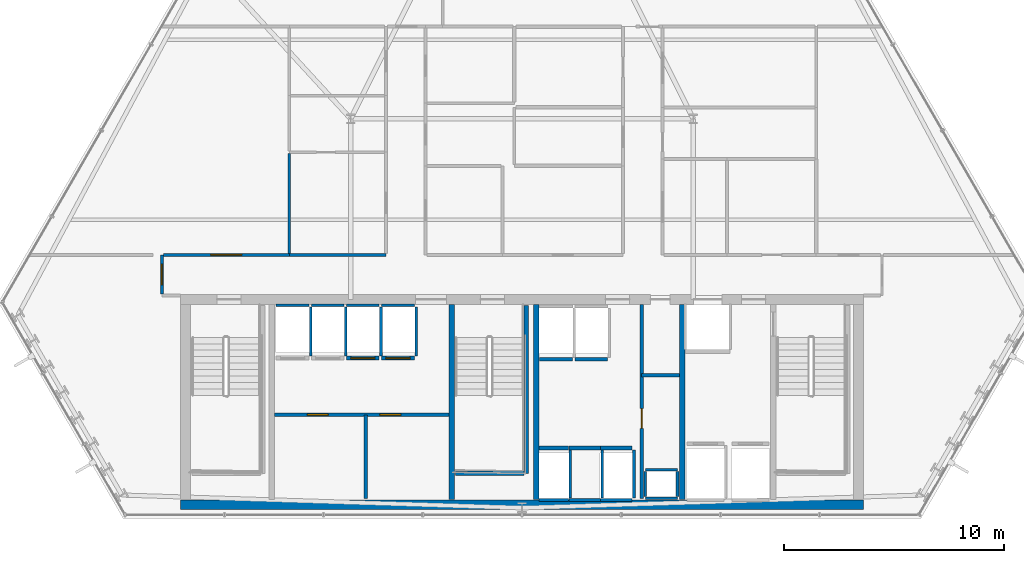
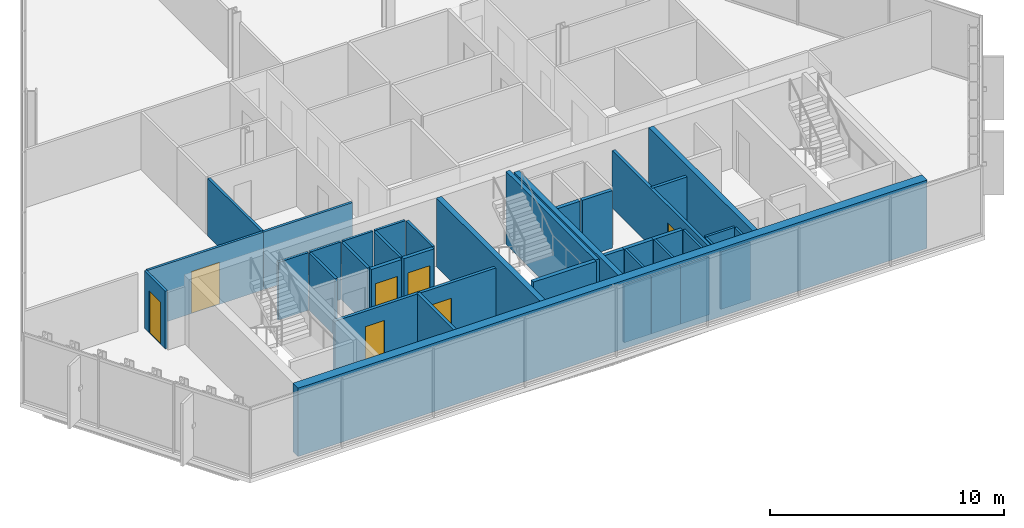
# One storey, part 26 of 33: 39 walls, 7 doors, 7 openings.
"""IFC4 building model written with IfcOpenShell, lengths in metres."""

from ifc_helpers import new_model, si_unit, direction, frame, frame_2d, origin, place, context, subcontext, project, spatial, rectangle, extrude, material, layer, layer_set, type_object, element, fill, save


model = new_model("IFC4")

# Units and contexts
model_context = context("Model", 3, precision=1e-05, world=origin(), true_north=direction((0.0, 1.0)))
body_context = subcontext(model_context, "Body", "Model", "MODEL_VIEW")
ifc_project = project(units=[si_unit("LENGTHUNIT", "METRE"), si_unit("AREAUNIT", "SQUARE_METRE"), si_unit("VOLUMEUNIT", "CUBIC_METRE"), si_unit("PLANEANGLEUNIT", "RADIAN"), si_unit("MASSUNIT", "GRAM", prefix="KILO")], contexts=[model_context])

# Site, building, storey
site_placement = place(None, origin())
site = spatial("IfcSite", under=ifc_project, at=site_placement, CompositionType="ELEMENT")
building_placement = place(site_placement, origin())
building = spatial("IfcBuilding", under=site, at=building_placement, Name="Ndaravel Arena Tower", CompositionType="ELEMENT")
storey_placement = place(building_placement, frame((0.0, 0.0, 153.60009765625)))
storey = spatial("IfcBuildingStorey", under=building, at=storey_placement, Name="L36", CompositionType="ELEMENT", Elevation=153.60009765625)

# Wall, opening, door
ifc_material_1 = material(Name="Gypsum", Category="gypsum")
ifc_layer_1 = layer(ifc_material_1, 0.14990234375)
ifc_layer_set_1 = layer_set([ifc_layer_1], Name="Gypsum")
wall_type_1 = type_object("IfcWallType", Name="WALL-COMP-150", PredefinedType="PARTITIONING", material=ifc_layer_set_1)
wall_1_placement = place(storey_placement, frame((47.449951171875, 5.89990234375, 0.0), z_axis=(0.0, 0.0, 1.0), x_axis=(0.0, 1.0, 0.0)))
wall_1 = element("IfcWall", 1, at=wall_1_placement, inside=storey, type_object=wall_type_1, Name="L36 Core Riser Bay Partition", PredefinedType="PARTITIONING", context=body_context, shape_type="SweptSolid", body=[
    extrude(rectangle(XDim=8.85009765625, YDim=0.14990234375, at=frame_2d((4.425048828125, 0.0))), origin(), (0.0, 0.0, 1.0), 3.010498046875),
])
opening_1_placement = place(wall_1_placement, frame((3.199951171875, 0.0, 0.0)))
opening_1 = element("IfcOpeningElement", 2, at=opening_1_placement, cuts=wall_1, Name="Opening RD-01", PredefinedType="OPENING", context=body_context, shape_type="SweptSolid", body=[
    extrude(rectangle(XDim=0.89990234375, YDim=2.10009765625, at=frame_2d((0.449951171875, 1.050048828125))), frame((0.0, 0.074951171875, 0.0), z_axis=(0.0, -1.0, 0.0), x_axis=(1.0, 0.0, 0.0)), (0.0, 0.0, 1.0), 0.14990234375),
])
ifc_material_2 = material(Name="Steel S355", Category="steel")
door_type_1 = type_object("IfcDoorType", Name="DT-08-RISER-900", OperationType="SINGLE_SWING_LEFT", PredefinedType="DOOR", material=ifc_material_2)
door_1_placement = place(opening_1_placement, origin())
door_1 = element("IfcDoor", 3, at=door_1_placement, inside=storey, type_object=door_type_1, Name="L36 Sub-Metering Closet Door", OperationType="SINGLE_SWING_LEFT", OverallHeight=2.10009765625, OverallWidth=0.89990234375, PredefinedType="DOOR", context=body_context, shape_type="SweptSolid", body=[
    extrude(rectangle(XDim=0.89990234375, YDim=2.10009765625, at=frame_2d((0.449951171875, 1.050048828125))), frame((0.0, 0.02490234375, 0.0), z_axis=(0.0, -1.0, 0.0), x_axis=(1.0, 0.0, 0.0)), (0.0, 0.0, 1.0), 0.050048828125),
])
fill(opening_1, door_1)

# Wall
wall_2_placement = place(storey_placement, frame((47.449951171875, 11.52001953125, 0.0), z_axis=(0.0, 0.0, 1.0), x_axis=(1.0, 0.0, 0.0)))
element("IfcWall", 4, at=wall_2_placement, inside=storey, type_object=wall_type_1, Name="L36 Core Riser Divider 1", PredefinedType="PARTITIONING", context=body_context, shape_type="SweptSolid", body=[
    extrude(rectangle(XDim=1.72998046875, YDim=0.14990234375, at=frame_2d((0.864990234375, 0.0))), origin(), (0.0, 0.0, 1.0), 3.010498046875),
])

# Wall, openings, doors
wall_3_placement = place(storey_placement, frame((30.719970703125, 9.719970703125, 0.0), z_axis=(0.0, 0.0, 1.0), x_axis=(1.0, 0.0, 0.0)))
wall_3 = element("IfcWall", 5, at=wall_3_placement, inside=storey, type_object=wall_type_1, Name="L36 Reclaimed Shaft Partition", PredefinedType="PARTITIONING", context=body_context, shape_type="SweptSolid", body=[
    extrude(rectangle(XDim=7.9599609375, YDim=0.14990234375, at=frame_2d((3.97998046875, 0.0))), origin(), (0.0, 0.0, 1.0), 3.010498046875),
])
opening_2_placement = place(wall_3_placement, frame((1.5, 0.0, 0.0)))
opening_2 = element("IfcOpeningElement", 6, at=opening_2_placement, cuts=wall_3, Name="Opening FD-03", PredefinedType="OPENING", context=body_context, shape_type="SweptSolid", body=[
    extrude(rectangle(XDim=0.949951171875, YDim=2.199951171875, at=frame_2d((0.47509765625, 1.10009765625))), frame((0.0, 0.074951171875, 0.0), z_axis=(0.0, -1.0, 0.0), x_axis=(1.0, 0.0, 0.0)), (0.0, 0.0, 1.0), 0.14990234375),
])
opening_3_placement = place(wall_3_placement, frame((4.81005859375, 0.0, 0.0)))
opening_3 = element("IfcOpeningElement", 7, at=opening_3_placement, cuts=wall_3, Name="Opening FD-03", PredefinedType="OPENING", context=body_context, shape_type="SweptSolid", body=[
    extrude(rectangle(XDim=0.949951171875, YDim=2.199951171875, at=frame_2d((0.47509765625, 1.10009765625))), frame((0.0, 0.074951171875, 0.0), z_axis=(0.0, -1.0, 0.0), x_axis=(1.0, 0.0, 0.0)), (0.0, 0.0, 1.0), 0.14990234375),
])
ifc_material_3 = material(Name="Steel S355", Category="steel")
door_type_2 = type_object("IfcDoorType", Name="DT-11-CORE-950", OperationType="SINGLE_SWING_LEFT", PredefinedType="DOOR", material=ifc_material_3)
door_2_placement = place(opening_2_placement, origin())
door_2 = element("IfcDoor", 8, at=door_2_placement, inside=storey, type_object=door_type_2, Name="L36 ICT Server Room Door", OperationType="SINGLE_SWING_LEFT", OverallHeight=2.199951171875, OverallWidth=0.949951171875, PredefinedType="DOOR", context=body_context, shape_type="SweptSolid", body=[
    extrude(rectangle(XDim=0.949951171875, YDim=2.199951171875, at=frame_2d((0.47509765625, 1.10009765625))), frame((0.0, 0.02490234375, 0.0), z_axis=(0.0, -1.0, 0.0), x_axis=(1.0, 0.0, 0.0)), (0.0, 0.0, 1.0), 0.050048828125),
])
fill(opening_2, door_2)
door_3_placement = place(opening_3_placement, origin())
door_3 = element("IfcDoor", 9, at=door_3_placement, inside=storey, type_object=door_type_2, Name="L36 Core Archive Room Door", OperationType="SINGLE_SWING_RIGHT", OverallHeight=2.199951171875, OverallWidth=0.949951171875, PredefinedType="DOOR", context=body_context, shape_type="SweptSolid", body=[
    extrude(rectangle(XDim=0.949951171875, YDim=2.199951171875, at=frame_2d((0.47509765625, 1.10009765625))), frame((0.0, 0.02490234375, 0.0), z_axis=(0.0, -1.0, 0.0), x_axis=(1.0, 0.0, 0.0)), (0.0, 0.0, 1.0), 0.050048828125),
])
fill(opening_3, door_3)

# Walls
wall_4_placement = place(storey_placement, frame((34.8798828125, 5.89990234375, 0.0), z_axis=(0.0, 0.0, 1.0), x_axis=(0.0, 1.0, 0.0)))
element("IfcWall", 10, at=wall_4_placement, inside=storey, type_object=wall_type_1, Name="L36 Reclaimed Bay Divider", PredefinedType="PARTITIONING", context=body_context, shape_type="SweptSolid", body=[
    extrude(rectangle(XDim=3.820068359375, YDim=0.14990234375, at=frame_2d((1.91015625, 0.0))), origin(), (0.0, 0.0, 1.0), 3.010498046875),
])
ifc_material_4 = material(Name="Concrete C60/75", Category="concrete")
ifc_layer_2 = layer(ifc_material_4, 0.25)
ifc_layer_set_2 = layer_set([ifc_layer_2], Name="Concrete C60/75")
wall_type_2 = type_object("IfcWallType", Name="WALL-CORE-250", PredefinedType="SOLIDWALL", material=ifc_layer_set_2)
for number, where, z_axis, x_axis, name in (
    (11, (38.800048828125, 5.85009765625, 0.0), (0.0, 0.0, 1.0), (0.0, 1.0, 0.0), "L36 Core Web Shear Wall 2"),
    (12, (42.64990234375, 5.85009765625, 0.0), (0.0, 0.0, 1.0), (0.0, 1.0, 0.0), "L36 Core Web Shear Wall 3"),
    (13, (49.300048828125, 5.85009765625, 0.0), (0.0, 0.0, 1.0), (0.0, 1.0, 0.0), "L36 Core Web Shear Wall 4"),
):
    element("IfcWall", number, at=place(storey_placement, frame(where, z_axis=z_axis, x_axis=x_axis)), inside=storey, type_object=wall_type_2, Name=name, PredefinedType="SOLIDWALL", context=body_context, shape_type="SweptSolid", body=[
        extrude(rectangle(XDim=8.89990234375, YDim=0.25, at=frame_2d((4.449951171875, 0.0))), origin(), (0.0, 0.0, 1.0), 3.579833984375),
    ])
ifc_material_5 = material(Name="Concrete C60/75", Category="concrete")
ifc_layer_3 = layer(ifc_material_5, 0.449951171875)
ifc_layer_set_3 = layer_set([ifc_layer_3], Name="Concrete C60/75")
wall_type_3 = type_object("IfcWallType", Name="WALL-CORE-450", PredefinedType="SOLIDWALL", material=ifc_layer_set_3)
wall_5_placement = place(storey_placement, frame((26.449951171875, 5.625, 0.0), z_axis=(0.0, 0.0, 1.0), x_axis=(1.0, 0.0, 0.0)))
element("IfcWall", 14, at=wall_5_placement, inside=storey, type_object=wall_type_3, Name="L36 Core South Shear Wall", PredefinedType="SOLIDWALL", context=body_context, shape_type="SweptSolid", body=[
    extrude(rectangle(XDim=31.10009765625, YDim=0.449951171875, at=frame_2d((15.550048828125, 0.0))), origin(), (0.0, 0.0, 1.0), 3.579833984375),
])

# Wall, opening, door
ifc_material_6 = material(Name="Gypsum", Category="gypsum")
ifc_layer_4 = layer(ifc_material_6, 0.125)
ifc_layer_set_4 = layer_set([ifc_layer_4], Name="Gypsum")
wall_type_4 = type_object("IfcWallType", Name="WALL-PART-125", PredefinedType="PARTITIONING", material=ifc_layer_set_4)
wall_6_placement = place(storey_placement, frame((25.60009765625, 15.215087890625, 0.0), z_axis=(0.0, 0.0, 1.0), x_axis=(0.0, 1.0, 0.0)))
wall_6 = element("IfcWall", 15, at=wall_6_placement, inside=storey, type_object=wall_type_4, Name="L36 Interior Partition 004", PredefinedType="PARTITIONING", context=body_context, shape_type="SweptSolid", body=[
    extrude(rectangle(XDim=1.784912109375, YDim=0.125, at=frame_2d((0.892578125, 0.0))), origin(), (0.0, 0.0, 1.0), 3.010498046875),
])
opening_4_placement = place(wall_6_placement, frame((0.41748046875, 0.0, 0.0)))
opening_4 = element("IfcOpeningElement", 16, at=opening_4_placement, cuts=wall_6, Name="Opening ID-01", PredefinedType="OPENING", context=body_context, shape_type="SweptSolid", body=[
    extrude(rectangle(XDim=0.949951171875, YDim=2.199951171875, at=frame_2d((0.47509765625, 1.10009765625))), frame((0.0, 0.0625, 0.0), z_axis=(0.0, -1.0, 0.0), x_axis=(1.0, 0.0, 0.0)), (0.0, 0.0, 1.0), 0.125),
])
ifc_material_7 = material(Name="Timber", Category="wood")
door_type_3 = type_object("IfcDoorType", Name="DT-03-OFFICE-950", OperationType="SINGLE_SWING_LEFT", PredefinedType="DOOR", material=ifc_material_7)
door_4_placement = place(opening_4_placement, origin())
door_4 = element("IfcDoor", 17, at=door_4_placement, inside=storey, type_object=door_type_3, Name="L36 Executive Boardroom Door", OperationType="SINGLE_SWING_LEFT", OverallHeight=2.199951171875, OverallWidth=0.949951171875, PredefinedType="DOOR", context=body_context, shape_type="SweptSolid", body=[
    extrude(rectangle(XDim=0.949951171875, YDim=2.199951171875, at=frame_2d((0.47509765625, 1.10009765625))), frame((0.0, 0.02490234375, 0.0), z_axis=(0.0, -1.0, 0.0), x_axis=(1.0, 0.0, 0.0)), (0.0, 0.0, 1.0), 0.050048828125),
])
fill(opening_4, door_4)

wall_7_placement = place(storey_placement, frame((25.6650390625, 17.0, 0.0), z_axis=(0.0, 0.0, 1.0), x_axis=(1.0, 0.0, 0.0)))
wall_7 = element("IfcWall", 18, at=wall_7_placement, inside=storey, type_object=wall_type_4, Name="L36 Interior Partition 005", PredefinedType="PARTITIONING", context=body_context, shape_type="SweptSolid", body=[
    extrude(rectangle(XDim=5.73486328125, YDim=0.125, at=frame_2d((2.867431640625, 0.0))), origin(), (0.0, 0.0, 1.0), 3.010498046875),
])
opening_5_placement = place(wall_7_placement, frame((2.16748046875, 0.0, 0.0)))
opening_5 = element("IfcOpeningElement", 19, at=opening_5_placement, cuts=wall_7, Name="Opening ID-02", PredefinedType="OPENING", context=body_context, shape_type="SweptSolid", body=[
    extrude(rectangle(XDim=1.39990234375, YDim=2.199951171875, at=frame_2d((0.699951171875, 1.10009765625))), frame((0.0, 0.0625, 0.0), z_axis=(0.0, -1.0, 0.0), x_axis=(1.0, 0.0, 0.0)), (0.0, 0.0, 1.0), 0.125),
])
ifc_material_8 = material(Name="Timber", Category="wood")
door_type_4 = type_object("IfcDoorType", Name="DT-04-SUITE-1400", OperationType="DOUBLE_DOOR_SINGLE_SWING", PredefinedType="DOOR", material=ifc_material_8)
door_5_placement = place(opening_5_placement, origin())
door_5 = element("IfcDoor", 20, at=door_5_placement, inside=storey, type_object=door_type_4, Name="L36 Tenant Reception Suite 3 Door", OperationType="SINGLE_SWING_LEFT", OverallHeight=2.199951171875, OverallWidth=1.39990234375, PredefinedType="DOOR", context=body_context, shape_type="SweptSolid", body=[
    extrude(rectangle(XDim=1.39990234375, YDim=2.199951171875, at=frame_2d((0.699951171875, 1.10009765625))), frame((0.0, 0.02490234375, 0.0), z_axis=(0.0, -1.0, 0.0), x_axis=(1.0, 0.0, 0.0)), (0.0, 0.0, 1.0), 0.050048828125),
])
fill(opening_5, door_5)

# Walls
wall_8_placement = place(storey_placement, frame((31.39990234375, 17.0, 0.0), z_axis=(0.0, 0.0, 1.0), x_axis=(1.0, 0.0, 0.0)))
element("IfcWall", 21, at=wall_8_placement, inside=storey, type_object=wall_type_4, Name="L36 Interior Partition 006", PredefinedType="PARTITIONING", context=body_context, shape_type="SweptSolid", body=[
    extrude(rectangle(XDim=4.400146484375, YDim=0.125, at=frame_2d((2.2001953125, 0.0))), origin(), (0.0, 0.0, 1.0), 3.010498046875),
])
wall_9_placement = place(storey_placement, frame((31.39990234375, 17.06494140625, 0.0), z_axis=(0.0, 0.0, 1.0), x_axis=(0.0, 1.0, 0.0)))
element("IfcWall", 22, at=wall_9_placement, inside=storey, type_object=wall_type_4, Name="L36 Interior Partition 036", PredefinedType="PARTITIONING", context=body_context, shape_type="SweptSolid", body=[
    extrude(rectangle(XDim=4.550048828125, YDim=0.125, at=frame_2d((2.27490234375, 0.0))), origin(), (0.0, 0.0, 1.0), 3.010498046875),
])
ifc_material_9 = material(Name="Concrete C40/50", Category="concrete")
ifc_layer_5 = layer(ifc_material_9, 0.1201171875)
ifc_layer_set_5 = layer_set([ifc_layer_5], Name="Concrete C40/50")
wall_type_5 = type_object("IfcWallType", Name="WALL-SHAFT-120", PredefinedType="SOLIDWALL", material=ifc_layer_set_5)
for number, where, z_axis, x_axis, name in (
    (23, (47.6201171875, 5.919921875, 0.0), (0.0, 0.0, 1.0), (1.0, 0.0, 0.0), "L36 MEP Riser Shaft S Wall"),
    (24, (47.6201171875, 7.219970703125, 0.0), (0.0, 0.0, 1.0), (1.0, 0.0, 0.0), "L36 MEP Riser Shaft N Wall"),
):
    element("IfcWall", number, at=place(storey_placement, frame(where, z_axis=z_axis, x_axis=x_axis)), inside=storey, type_object=wall_type_5, Name=name, PredefinedType="SOLIDWALL", context=body_context, shape_type="SweptSolid", body=[
        extrude(rectangle(XDim=1.4599609375, YDim=0.1201171875, at=frame_2d((0.72998046875, 0.0))), origin(), (0.0, 0.0, 1.0), 3.010498046875),
    ])
for number, where, z_axis, x_axis, name in (
    (25, (47.6201171875, 6.0, 0.0), (0.0, 0.0, 1.0), (0.0, 1.0, 0.0), "L36 MEP Riser Shaft W Wall"),
    (26, (49.080078125, 6.0, 0.0), (0.0, 0.0, 1.0), (0.0, 1.0, 0.0), "L36 MEP Riser Shaft E Wall"),
):
    element("IfcWall", number, at=place(storey_placement, frame(where, z_axis=z_axis, x_axis=x_axis)), inside=storey, type_object=wall_type_5, Name=name, PredefinedType="SOLIDWALL", context=body_context, shape_type="SweptSolid", body=[
        extrude(rectangle(XDim=1.139892578125, YDim=0.1201171875, at=frame_2d((0.56982421875, 0.0))), origin(), (0.0, 0.0, 1.0), 3.010498046875),
    ])
wall_10_placement = place(storey_placement, frame((30.804931640625, 14.7099609375, 0.0), z_axis=(0.0, 0.0, 1.0), x_axis=(1.0, 0.0, 0.0)))
element("IfcWall", 27, at=wall_10_placement, inside=storey, type_object=wall_type_5, Name="L36 PL-M1 Shaft Rear Wall", PredefinedType="SOLIDWALL", context=body_context, shape_type="SweptSolid", body=[
    extrude(rectangle(XDim=1.489990234375, YDim=0.1201171875, at=frame_2d((0.7451171875, 0.0))), origin(), (0.0, 0.0, 1.0), 3.010498046875),
])
wall_11_placement = place(storey_placement, frame((32.375, 12.389892578125, 0.0), z_axis=(0.0, 0.0, 1.0), x_axis=(0.0, 1.0, 0.0)))
element("IfcWall", 28, at=wall_11_placement, inside=storey, type_object=wall_type_5, Name="L36 PL-M1 Shaft Side R Wall", PredefinedType="SOLIDWALL", context=body_context, shape_type="SweptSolid", body=[
    extrude(rectangle(XDim=2.230224609375, YDim=0.1201171875, at=frame_2d((1.115234375, 0.0))), origin(), (0.0, 0.0, 1.0), 3.010498046875),
])
wall_12_placement = place(storey_placement, frame((32.405029296875, 14.7099609375, 0.0), z_axis=(0.0, 0.0, 1.0), x_axis=(1.0, 0.0, 0.0)))
element("IfcWall", 29, at=wall_12_placement, inside=storey, type_object=wall_type_5, Name="L36 PL-M2 Shaft Rear Wall", PredefinedType="SOLIDWALL", context=body_context, shape_type="SweptSolid", body=[
    extrude(rectangle(XDim=1.489990234375, YDim=0.1201171875, at=frame_2d((0.7451171875, 0.0))), origin(), (0.0, 0.0, 1.0), 3.010498046875),
])
wall_13_placement = place(storey_placement, frame((33.97509765625, 12.389892578125, 0.0), z_axis=(0.0, 0.0, 1.0), x_axis=(0.0, 1.0, 0.0)))
element("IfcWall", 30, at=wall_13_placement, inside=storey, type_object=wall_type_5, Name="L36 PL-M2 Shaft Side R Wall", PredefinedType="SOLIDWALL", context=body_context, shape_type="SweptSolid", body=[
    extrude(rectangle(XDim=2.230224609375, YDim=0.1201171875, at=frame_2d((1.115234375, 0.0))), origin(), (0.0, 0.0, 1.0), 3.010498046875),
])
wall_14_placement = place(storey_placement, frame((34.0048828125, 14.7099609375, 0.0), z_axis=(0.0, 0.0, 1.0), x_axis=(1.0, 0.0, 0.0)))
element("IfcWall", 31, at=wall_14_placement, inside=storey, type_object=wall_type_5, Name="L36 PL-M3 Shaft Rear Wall", PredefinedType="SOLIDWALL", context=body_context, shape_type="SweptSolid", body=[
    extrude(rectangle(XDim=1.490234375, YDim=0.1201171875, at=frame_2d((0.7451171875, 0.0))), origin(), (0.0, 0.0, 1.0), 3.010498046875),
])
wall_15_placement = place(storey_placement, frame((35.574951171875, 12.389892578125, 0.0), z_axis=(0.0, 0.0, 1.0), x_axis=(0.0, 1.0, 0.0)))
element("IfcWall", 32, at=wall_15_placement, inside=storey, type_object=wall_type_5, Name="L36 PL-M3 Shaft Side R Wall", PredefinedType="SOLIDWALL", context=body_context, shape_type="SweptSolid", body=[
    extrude(rectangle(XDim=2.230224609375, YDim=0.1201171875, at=frame_2d((1.115234375, 0.0))), origin(), (0.0, 0.0, 1.0), 3.010498046875),
])
wall_16_placement = place(storey_placement, frame((35.60498046875, 14.7099609375, 0.0), z_axis=(0.0, 0.0, 1.0), x_axis=(1.0, 0.0, 0.0)))
element("IfcWall", 33, at=wall_16_placement, inside=storey, type_object=wall_type_5, Name="L36 PL-M4 Shaft Rear Wall", PredefinedType="SOLIDWALL", context=body_context, shape_type="SweptSolid", body=[
    extrude(rectangle(XDim=1.489990234375, YDim=0.1201171875, at=frame_2d((0.7451171875, 0.0))), origin(), (0.0, 0.0, 1.0), 3.010498046875),
])
wall_17_placement = place(storey_placement, frame((37.175048828125, 12.389892578125, 0.0), z_axis=(0.0, 0.0, 1.0), x_axis=(0.0, 1.0, 0.0)))
element("IfcWall", 34, at=wall_17_placement, inside=storey, type_object=wall_type_5, Name="L36 PL-M4 Shaft Side R Wall", PredefinedType="SOLIDWALL", context=body_context, shape_type="SweptSolid", body=[
    extrude(rectangle(XDim=2.230224609375, YDim=0.1201171875, at=frame_2d((1.115234375, 0.0))), origin(), (0.0, 0.0, 1.0), 3.010498046875),
])
wall_18_placement = place(storey_placement, frame((42.780029296875, 5.840087890625, 0.0), z_axis=(0.0, 0.0, 1.0), x_axis=(1.0, 0.0, 0.0)))
element("IfcWall", 35, at=wall_18_placement, inside=storey, type_object=wall_type_5, Name="L36 PL-H1 Shaft Rear Wall", PredefinedType="SOLIDWALL", context=body_context, shape_type="SweptSolid", body=[
    extrude(rectangle(XDim=1.340087890625, YDim=0.1201171875, at=frame_2d((0.669921875, 0.0))), origin(), (0.0, 0.0, 1.0), 3.010498046875),
])
wall_19_placement = place(storey_placement, frame((44.199951171875, 5.929931640625, 0.0), z_axis=(0.0, 0.0, 1.0), x_axis=(0.0, 1.0, 0.0)))
element("IfcWall", 36, at=wall_19_placement, inside=storey, type_object=wall_type_5, Name="L36 PL-H1 Shaft Side R Wall", PredefinedType="SOLIDWALL", context=body_context, shape_type="SweptSolid", body=[
    extrude(rectangle(XDim=2.18017578125, YDim=0.1201171875, at=frame_2d((1.090087890625, 0.0))), origin(), (0.0, 0.0, 1.0), 3.010498046875),
])
wall_20_placement = place(storey_placement, frame((44.1298828125, 5.840087890625, 0.0), z_axis=(0.0, 0.0, 1.0), x_axis=(1.0, 0.0, 0.0)))
element("IfcWall", 37, at=wall_20_placement, inside=storey, type_object=wall_type_5, Name="L36 PL-H2 Shaft Rear Wall", PredefinedType="SOLIDWALL", context=body_context, shape_type="SweptSolid", body=[
    extrude(rectangle(XDim=1.440185546875, YDim=0.1201171875, at=frame_2d((0.72021484375, 0.0))), origin(), (0.0, 0.0, 1.0), 3.010498046875),
])
wall_21_placement = place(storey_placement, frame((45.64990234375, 5.929931640625, 0.0), z_axis=(0.0, 0.0, 1.0), x_axis=(0.0, 1.0, 0.0)))
element("IfcWall", 38, at=wall_21_placement, inside=storey, type_object=wall_type_5, Name="L36 PL-H2 Shaft Side R Wall", PredefinedType="SOLIDWALL", context=body_context, shape_type="SweptSolid", body=[
    extrude(rectangle(XDim=2.18017578125, YDim=0.1201171875, at=frame_2d((1.090087890625, 0.0))), origin(), (0.0, 0.0, 1.0), 3.010498046875),
])
wall_22_placement = place(storey_placement, frame((45.580078125, 5.840087890625, 0.0), z_axis=(0.0, 0.0, 1.0), x_axis=(1.0, 0.0, 0.0)))
element("IfcWall", 39, at=wall_22_placement, inside=storey, type_object=wall_type_5, Name="L36 PL-H3 Shaft Rear Wall", PredefinedType="SOLIDWALL", context=body_context, shape_type="SweptSolid", body=[
    extrude(rectangle(XDim=1.43994140625, YDim=0.1201171875, at=frame_2d((0.719970703125, 0.0))), origin(), (0.0, 0.0, 1.0), 3.010498046875),
])
wall_23_placement = place(storey_placement, frame((47.10009765625, 5.929931640625, 0.0), z_axis=(0.0, 0.0, 1.0), x_axis=(0.0, 1.0, 0.0)))
element("IfcWall", 40, at=wall_23_placement, inside=storey, type_object=wall_type_5, Name="L36 PL-H3 Shaft Side R Wall", PredefinedType="SOLIDWALL", context=body_context, shape_type="SweptSolid", body=[
    extrude(rectangle(XDim=2.18017578125, YDim=0.1201171875, at=frame_2d((1.090087890625, 0.0))), origin(), (0.0, 0.0, 1.0), 3.010498046875),
])
ifc_material_10 = material(Name="Concrete C40/50", Category="concrete")
ifc_layer_6 = layer(ifc_material_10, 0.199951171875)
ifc_layer_set_6 = layer_set([ifc_layer_6], Name="Concrete C40/50")
wall_type_6 = type_object("IfcWallType", Name="WALL-SHAFT-200", PredefinedType="SOLIDWALL", material=ifc_layer_set_6)
wall_24_placement = place(storey_placement, frame((42.18994140625, 14.699951171875, 0.0), z_axis=(0.0, 0.0, 1.0), x_axis=(0.0, -1.0, 0.0)))
element("IfcWall", 41, at=wall_24_placement, inside=storey, type_object=wall_type_6, Name="L36 ST-2 Structural Shaft Wall Right", PredefinedType="SOLIDWALL", context=body_context, shape_type="SweptSolid", body=[
    extrude(rectangle(XDim=7.64990234375, YDim=0.199951171875, at=frame_2d((3.824951171875, 0.0))), origin(), (0.0, 0.0, 1.0), 3.7998046875),
])
wall_25_placement = place(storey_placement, frame((38.969970703125, 7.050048828125, 0.0), z_axis=(0.0, 0.0, 1.0), x_axis=(1.0, 0.0, 0.0)))
element("IfcWall", 42, at=wall_25_placement, inside=storey, type_object=wall_type_6, Name="L36 ST-2 Structural Shaft Wall Far", PredefinedType="SOLIDWALL", context=body_context, shape_type="SweptSolid", body=[
    extrude(rectangle(XDim=3.114990234375, YDim=0.199951171875, at=frame_2d((1.5576171875, 0.0))), origin(), (0.0, 0.0, 1.0), 3.7998046875),
])

# Wall, opening, door
wall_26_placement = place(storey_placement, frame((34.0048828125, 12.300048828125, 0.0), z_axis=(0.0, 0.0, 1.0), x_axis=(1.0, 0.0, 0.0)))
wall_26 = element("IfcWall", 43, at=wall_26_placement, inside=storey, type_object=wall_type_6, Name="L36 PL-M3 Shaft Landing Wall", PredefinedType="SOLIDWALL", context=body_context, shape_type="SweptSolid", body=[
    extrude(rectangle(XDim=1.490234375, YDim=0.179931640625, at=frame_2d((0.7451171875, 0.0))), origin(), (0.0, 0.0, 1.0), 3.010498046875),
])
opening_6_placement = place(wall_26_placement, frame((0.195068359375, 0.0, 0.0)))
opening_6 = element("IfcOpeningElement", 44, at=opening_6_placement, cuts=wall_26, Name="Opening LD-01", PredefinedType="OPENING", context=body_context, shape_type="SweptSolid", body=[
    extrude(rectangle(XDim=1.10009765625, YDim=2.199951171875, at=frame_2d((0.550048828125, 1.10009765625))), frame((0.0, 0.08984375, 0.0), z_axis=(0.0, -1.0, 0.0), x_axis=(1.0, 0.0, 0.0)), (0.0, 0.0, 1.0), 0.179931640625),
])
ifc_material_11 = material(Name="Steel S355", Category="steel")
door_type_5 = type_object("IfcDoorType", Name="DT-06-LIFT-1100", OperationType="SLIDING_TO_LEFT", PredefinedType="DOOR", material=ifc_material_11)
door_6_placement = place(opening_6_placement, origin())
door_6 = element("IfcDoor", 45, at=door_6_placement, inside=storey, type_object=door_type_5, Name="L36 Lift PL-M3 Sliding Landing Door", OperationType="SLIDING_TO_LEFT", OverallHeight=2.199951171875, OverallWidth=1.10009765625, PredefinedType="DOOR", context=body_context, shape_type="SweptSolid", body=[
    extrude(rectangle(XDim=1.10009765625, YDim=2.199951171875, at=frame_2d((0.550048828125, 1.10009765625))), frame((0.0, 0.02490234375, 0.0), z_axis=(0.0, -1.0, 0.0), x_axis=(1.0, 0.0, 0.0)), (0.0, 0.0, 1.0), 0.050048828125),
])
fill(opening_6, door_6)

wall_27_placement = place(storey_placement, frame((35.60498046875, 12.300048828125, 0.0), z_axis=(0.0, 0.0, 1.0), x_axis=(1.0, 0.0, 0.0)))
wall_27 = element("IfcWall", 46, at=wall_27_placement, inside=storey, type_object=wall_type_6, Name="L36 PL-M4 Shaft Landing Wall", PredefinedType="SOLIDWALL", context=body_context, shape_type="SweptSolid", body=[
    extrude(rectangle(XDim=1.489990234375, YDim=0.179931640625, at=frame_2d((0.7451171875, 0.0))), origin(), (0.0, 0.0, 1.0), 3.010498046875),
])
opening_7_placement = place(wall_27_placement, frame((0.195068359375, 0.0, 0.0)))
opening_7 = element("IfcOpeningElement", 47, at=opening_7_placement, cuts=wall_27, Name="Opening LD-01", PredefinedType="OPENING", context=body_context, shape_type="SweptSolid", body=[
    extrude(rectangle(XDim=1.10009765625, YDim=2.199951171875, at=frame_2d((0.550048828125, 1.10009765625))), frame((0.0, 0.08984375, 0.0), z_axis=(0.0, -1.0, 0.0), x_axis=(1.0, 0.0, 0.0)), (0.0, 0.0, 1.0), 0.179931640625),
])
door_7_placement = place(opening_7_placement, origin())
door_7 = element("IfcDoor", 48, at=door_7_placement, inside=storey, type_object=door_type_5, Name="L36 Lift PL-M4 Sliding Landing Door", OperationType="SLIDING_TO_LEFT", OverallHeight=2.199951171875, OverallWidth=1.10009765625, PredefinedType="DOOR", context=body_context, shape_type="SweptSolid", body=[
    extrude(rectangle(XDim=1.10009765625, YDim=2.199951171875, at=frame_2d((0.550048828125, 1.10009765625))), frame((0.0, 0.02490234375, 0.0), z_axis=(0.0, -1.0, 0.0), x_axis=(1.0, 0.0, 0.0)), (0.0, 0.0, 1.0), 0.050048828125),
])
fill(opening_7, door_7)

# Walls
wall_28_placement = place(storey_placement, frame((42.780029296875, 8.199951171875, 0.0), z_axis=(0.0, 0.0, 1.0), x_axis=(1.0, 0.0, 0.0)))
element("IfcWall", 49, at=wall_28_placement, inside=storey, type_object=wall_type_6, Name="L36 PL-H1 Shaft Landing Wall", PredefinedType="SOLIDWALL", context=body_context, shape_type="SweptSolid", body=[
    extrude(rectangle(XDim=1.340087890625, YDim=0.179931640625, at=frame_2d((0.669921875, 0.0))), origin(), (0.0, 0.0, 1.0), 3.010498046875),
])
wall_29_placement = place(storey_placement, frame((44.1298828125, 8.199951171875, 0.0), z_axis=(0.0, 0.0, 1.0), x_axis=(1.0, 0.0, 0.0)))
element("IfcWall", 50, at=wall_29_placement, inside=storey, type_object=wall_type_6, Name="L36 PL-H2 Shaft Landing Wall", PredefinedType="SOLIDWALL", context=body_context, shape_type="SweptSolid", body=[
    extrude(rectangle(XDim=1.440185546875, YDim=0.179931640625, at=frame_2d((0.72021484375, 0.0))), origin(), (0.0, 0.0, 1.0), 3.010498046875),
])
wall_30_placement = place(storey_placement, frame((45.580078125, 8.199951171875, 0.0), z_axis=(0.0, 0.0, 1.0), x_axis=(1.0, 0.0, 0.0)))
element("IfcWall", 51, at=wall_30_placement, inside=storey, type_object=wall_type_6, Name="L36 PL-H3 Shaft Landing Wall", PredefinedType="SOLIDWALL", context=body_context, shape_type="SweptSolid", body=[
    extrude(rectangle(XDim=1.43994140625, YDim=0.179931640625, at=frame_2d((0.719970703125, 0.0))), origin(), (0.0, 0.0, 1.0), 3.010498046875),
])
for number, where, z_axis, x_axis, name in (
    (52, (42.804931640625, 12.25, 0.0), (0.0, 0.0, 1.0), (1.0, 0.0, 0.0), "L36 PL-OBS1 Shaft Landing Wall"),
    (53, (44.405029296875, 12.25, 0.0), (0.0, 0.0, 1.0), (1.0, 0.0, 0.0), "L36 PL-OBS2 Shaft Landing Wall"),
):
    element("IfcWall", number, at=place(storey_placement, frame(where, z_axis=z_axis, x_axis=x_axis)), inside=storey, type_object=wall_type_6, Name=name, PredefinedType="SOLIDWALL", context=body_context, shape_type="SweptSolid", body=[
        extrude(rectangle(XDim=1.489990234375, YDim=0.179931640625, at=frame_2d((0.7451171875, 0.0))), origin(), (0.0, 0.0, 1.0), 3.010498046875),
    ])

save(model, "model.ifc")
